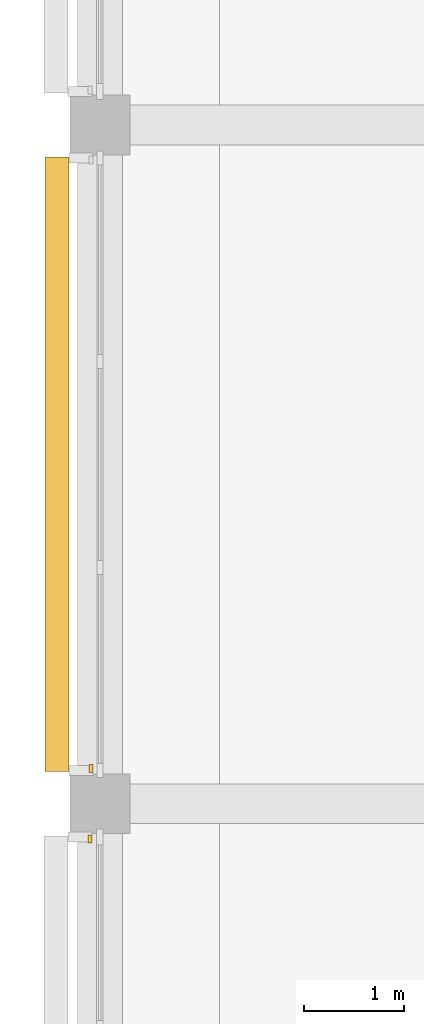
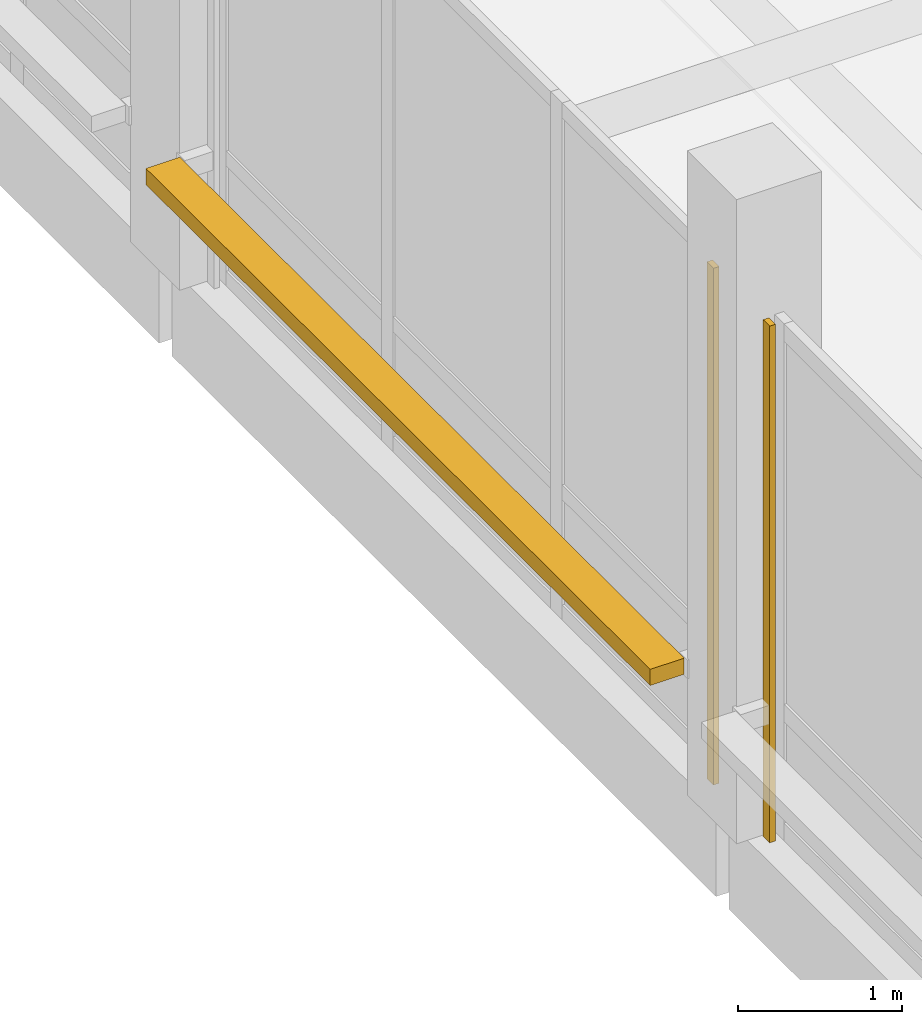
# One storey, part 96 of 122: 2 coverings, 1 shading device.
"""IFC4 building model written with IfcOpenShell, lengths in metres."""

from ifc_helpers import new_model, si_unit, direction, frame, origin, origin_2d, place, context, subcontext, project, spatial, rectangle, extrude, material, layer, layer_set, type_object, element, save


model = new_model("IFC4")

# Units and contexts
model_context = context("Model", 3, precision=1e-05, world=origin(), true_north=direction((0.0, 1.0)))
body_context = subcontext(model_context, "Body", "Model", "MODEL_VIEW")
ifc_project = project(units=[si_unit("LENGTHUNIT", "METRE"), si_unit("AREAUNIT", "SQUARE_METRE"), si_unit("VOLUMEUNIT", "CUBIC_METRE"), si_unit("PLANEANGLEUNIT", "RADIAN"), si_unit("MASSUNIT", "GRAM", prefix="KILO")], contexts=[model_context])

# Site, building, storey
site_placement = place(None, origin())
site = spatial("IfcSite", under=ifc_project, at=site_placement, CompositionType="ELEMENT")
building_placement = place(site_placement, origin())
building = spatial("IfcBuilding", under=site, at=building_placement, Name="Telukmera Botanical Conservatory", CompositionType="ELEMENT")
storey_placement = place(building_placement, frame((0.0, 0.0, 10.199951171875)))
storey = spatial("IfcBuildingStorey", under=building, at=storey_placement, Name="L02", CompositionType="ELEMENT", Elevation=10.199951171875)

# Coverings
ifc_material_1 = material(Name="Granite-faced precast concrete C40/50", Category="masonry")
ifc_layer_1 = layer(ifc_material_1, 0.0400390625)
ifc_layer_set_1 = layer_set([ifc_layer_1], Name="Granite-faced precast concrete C40/50")
covering_type = type_object("IfcCoveringType", Name="Granite Precast Column Pier Reveal Casing", PredefinedType="CLADDING", material=ifc_layer_set_1)
for number, where, z_axis, x_axis, name in (
    (1, (8.300048828125, 42.447998046875, 0.0), (0.0, 0.0, 1.0), (0.0, 1.0, 0.0), "Granite Pier Reveal V3:L02:W3 R"),
    (2, (8.31005859375, 43.152099609375, 0.0), (0.0, 0.0, 1.0), (0.0, 1.0, 0.0), "Granite Pier Reveal V3:L02:W4 L"),
):
    element("IfcCovering", number, at=place(storey_placement, frame(where, z_axis=z_axis, x_axis=x_axis)), inside=storey, type_object=covering_type, Name=name, PredefinedType="CLADDING", context=body_context, shape_type="SweptSolid", body=[
        extrude(rectangle(XDim=0.080078125, YDim=0.0400390625, at=origin_2d()), origin(), (0.0, 0.0, 1.0), 3.85009765625),
    ])

# Shading device
ifc_material_2 = material(Name="Perforated terracotta-anodised aluminium 6063-T6", Category="masonry")
ifc_layer_2 = layer(ifc_material_2, 0.044921875)
ifc_layer_set_2 = layer_set([ifc_layer_2], Name="Perforated terracotta-anodised aluminium 6063-T6")
shading_device_type = type_object("IfcShadingDeviceType", Name="Perforated Terracotta Aluminium Monsoon Brise Soleil", PredefinedType="JALOUSIE", material=ifc_layer_set_2)
shading_device_placement = place(storey_placement, frame((7.969970703125, 46.199951171875, 0.889892578125), z_axis=(0.0, 0.0, 1.0), x_axis=(0.0, 1.0, 0.0)))
element("IfcShadingDevice", 3, at=shading_device_placement, inside=storey, type_object=shading_device_type, Name="Monsoon Shading BS01 V3:L02:W4", PredefinedType="JALOUSIE", context=body_context, shape_type="SweptSolid", body=[
    extrude(rectangle(XDim=6.156005859375, YDim=0.239990234375, at=origin_2d()), origin(), (0.0, 0.0, 1.0), 0.1201171875),
])

save(model, "model.ifc")
